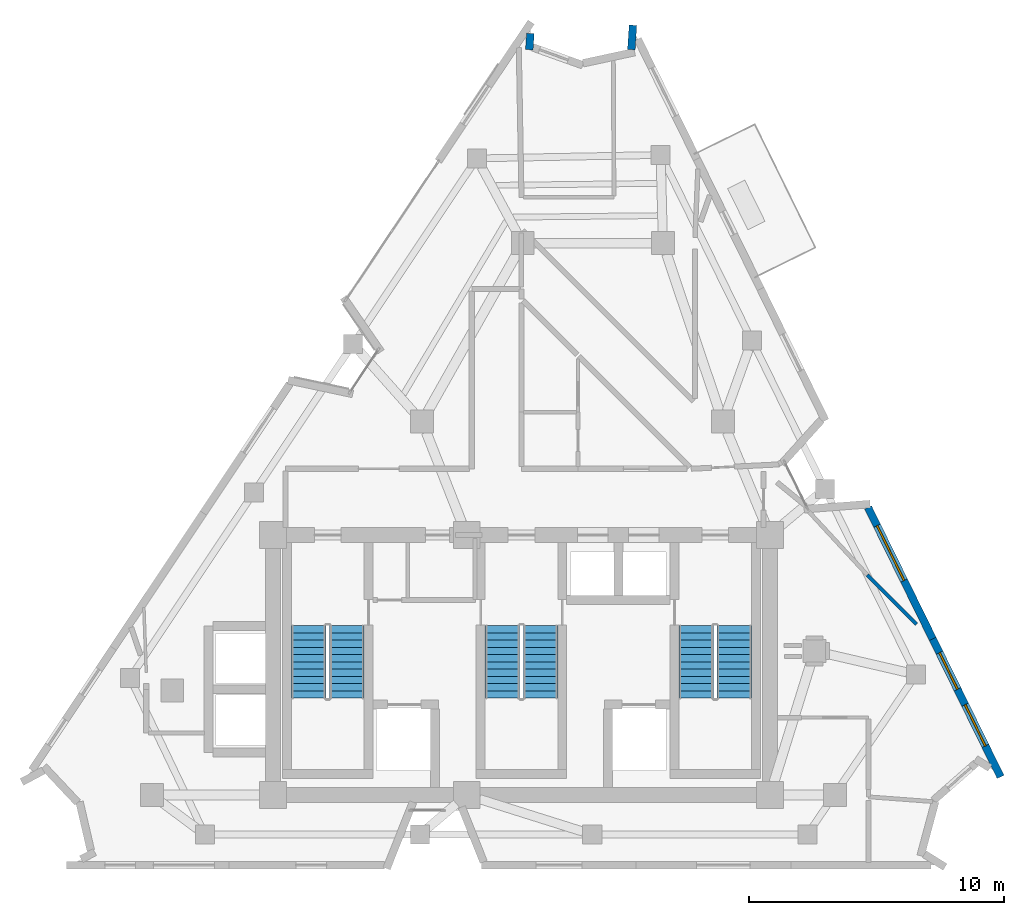
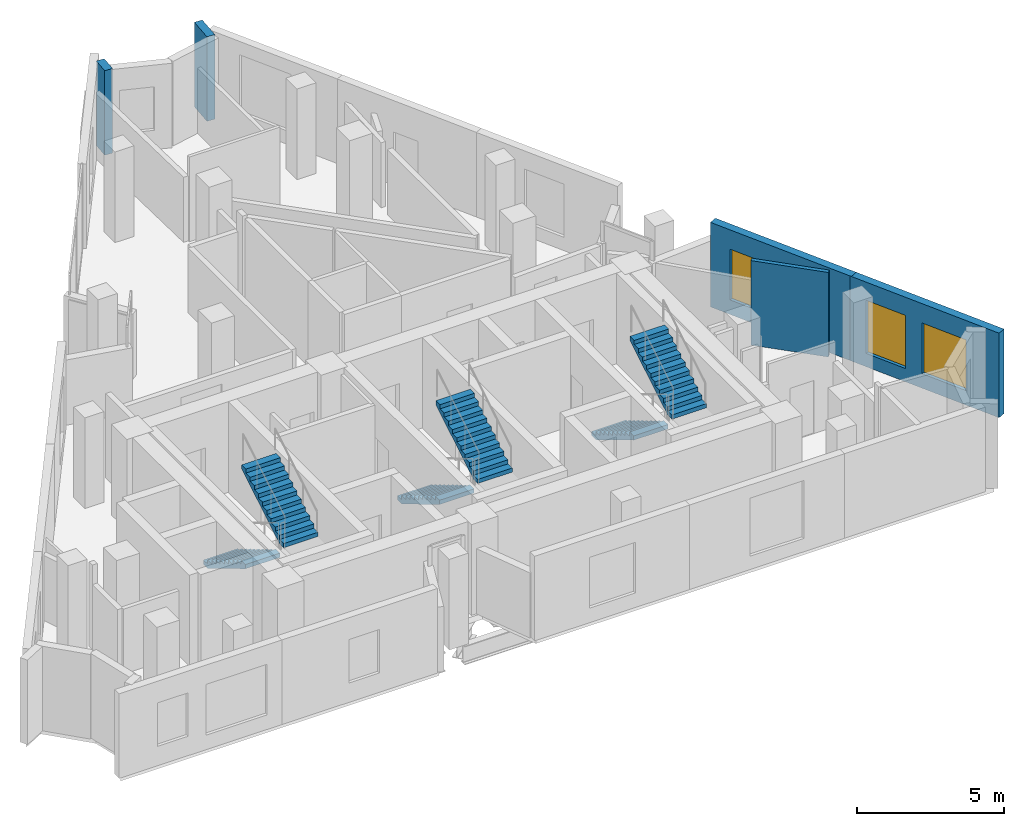
# One storey, part 7 of 8: 6 stair flights, 5 walls, 3 windows, 3 openings, 3 elements without a shape of their own.
"""IFC4 building model written with IfcOpenShell, lengths in metres."""

from ifc_helpers import new_model, si_unit, direction, frame, frame_2d, origin, place, context, subcontext, project, spatial, polyline, rectangle, outline, extrude, material, layer, layer_set, type_object, element, fill, aggregate, save


model = new_model("IFC4")

# Units and contexts
model_context = context("Model", 3, precision=1e-05, world=origin(), true_north=direction((0.0, 1.0)))
body_context = subcontext(model_context, "Body", "Model", "MODEL_VIEW")
ifc_project = project(units=[si_unit("LENGTHUNIT", "METRE"), si_unit("AREAUNIT", "SQUARE_METRE"), si_unit("VOLUMEUNIT", "CUBIC_METRE"), si_unit("PLANEANGLEUNIT", "RADIAN"), si_unit("MASSUNIT", "GRAM", prefix="KILO")], contexts=[model_context])

# Site, building, storey
site_placement = place(None, origin())
site = spatial("IfcSite", under=ifc_project, at=site_placement, CompositionType="ELEMENT")
building_placement = place(site_placement, origin())
building = spatial("IfcBuilding", under=site, at=building_placement, Name="Almagre Mirador Tower", CompositionType="ELEMENT")
storey_placement = place(building_placement, frame((0.0, 0.0, 274.5)))
storey = spatial("IfcBuildingStorey", under=building, at=storey_placement, Name="L71", CompositionType="ELEMENT", Elevation=274.5)

# Walls
ifc_material_1 = material(Name="Precast concrete C50/60", Category="concrete")
ifc_layer_1 = layer(ifc_material_1, 0.300048828125)
ifc_layer_set_1 = layer_set([ifc_layer_1], Name="Precast concrete C50/60")
wall_type_1 = type_object("IfcWallType", Name="WAL-EXT-300", PredefinedType="SOLIDWALL", material=ifc_layer_set_1)
wall_1_placement = place(storey_placement, frame((37.64990234375, 34.428955078125, 0.0), z_axis=(0.0, 0.0, 1.0), x_axis=(-0.065607578869, -0.997845501866, 0.0)))
element("IfcWall", 1, at=wall_1_placement, inside=storey, type_object=wall_type_1, Name="L71 expressed almagre precast frame wall 04", PredefinedType="SOLIDWALL", context=body_context, shape_type="SweptSolid", body=[
    extrude(rectangle(XDim=0.64013671875, YDim=0.300048828125, at=frame_2d((0.320068359375, 0.0))), origin(), (0.0, 0.0, 1.0), 3.5),
])
wall_2_placement = place(storey_placement, frame((41.611083984375, 33.792724609375, 0.0), z_axis=(0.0, 0.0, 1.0), x_axis=(0.065860770899, 0.997828822422, 0.0)))
element("IfcWall", 2, at=wall_2_placement, inside=storey, type_object=wall_type_1, Name="L71 expressed almagre precast frame wall 07", PredefinedType="SOLIDWALL", context=body_context, shape_type="SweptSolid", body=[
    extrude(rectangle(XDim=0.960205078125, YDim=0.300048828125, at=frame_2d((0.47998046875, 0.0))), origin(), (0.0, 0.0, 1.0), 3.5),
])

# Wall, opening, window
wall_3_placement = place(storey_placement, frame((50.89990234375, 15.831298828125, 0.0), z_axis=(0.0, 0.0, 1.0), x_axis=(0.441291621968, -0.897363752545, 0.0)))
wall_3 = element("IfcWall", 3, at=wall_3_placement, inside=storey, type_object=wall_type_1, Name="L71 expressed almagre precast frame wall 13", PredefinedType="SOLIDWALL", context=body_context, shape_type="SweptSolid", body=[
    extrude(rectangle(XDim=5.748291015625, YDim=0.300048828125, at=frame_2d((2.8740234375, 0.0))), origin(), (0.0, 0.0, 1.0), 3.5),
])
opening_1_placement = place(wall_3_placement, frame((0.794921875, 0.0, 0.60009765625)))
opening_1 = element("IfcOpeningElement", 4, at=opening_1_placement, cuts=wall_3, Name="Opening WN-02", PredefinedType="OPENING", context=body_context, shape_type="SweptSolid", body=[
    extrude(rectangle(XDim=2.39990234375, YDim=2.10009765625, at=frame_2d((1.199951171875, 1.050048828125))), frame((0.0, 0.159902, 0.0), z_axis=(0.0, -1.0, 0.0), x_axis=(1.0, 0.0, 0.0)), (0.0, 0.0, 1.0), 0.320049),
])
ifc_material_2 = material(Name="Dark solar-control laminated hurricane glass", Category="glass")
window_type_1 = type_object("IfcWindowType", Name="WIN-2400X2100", PartitioningType="TRIPLE_PANEL_VERTICAL", PredefinedType="WINDOW", material=ifc_material_2)
window_1_placement = place(opening_1_placement, origin())
window_1 = element("IfcWindow", 5, at=window_1_placement, inside=storey, type_object=window_type_1, Name="L71 recessed hurricane window L71-RST-G", OverallHeight=2.10009765625, OverallWidth=2.39990234375, PartitioningType="SINGLE_PANEL", PredefinedType="WINDOW", context=body_context, shape_type="SweptSolid", body=[
    extrude(rectangle(XDim=2.39990234375, YDim=2.10009765625, at=frame_2d((1.199951171875, 1.050048828125))), frame((0.0, 0.030029296875, 0.0), z_axis=(0.0, -1.0, 0.0), x_axis=(1.0, 0.0, 0.0)), (0.0, 0.0, 1.0), 0.06005859375),
])
fill(opening_1, window_1)

# Wall, openings, windows
wall_4_placement = place(storey_placement, frame((53.410888671875, 10.72509765625, 0.0), z_axis=(0.0, 0.0, 1.0), x_axis=(0.441283118505, -0.897367934195, 0.0)))
wall_4 = element("IfcWall", 6, at=wall_4_placement, inside=storey, type_object=wall_type_1, Name="L71 expressed almagre precast frame wall 14", PredefinedType="SOLIDWALL", context=body_context, shape_type="SweptSolid", body=[
    extrude(rectangle(XDim=6.08642578125, YDim=0.300048828125, at=frame_2d((3.043212890625, 0.0))), origin(), (0.0, 0.0, 1.0), 3.5),
])
opening_2_placement = place(wall_4_placement, frame((0.657958984375, 0.0, 0.550048828125)))
opening_2 = element("IfcOpeningElement", 7, at=opening_2_placement, cuts=wall_4, Name="Opening WN-06", PredefinedType="OPENING", context=body_context, shape_type="SweptSolid", body=[
    extrude(rectangle(XDim=1.60009765625, YDim=2.199951171875, at=frame_2d((0.800048828125, 1.10009765625))), frame((0.0, 0.159902, 0.0), z_axis=(0.0, -1.0, 0.0), x_axis=(1.0, 0.0, 0.0)), (0.0, 0.0, 1.0), 0.320049),
])
opening_3_placement = place(wall_4_placement, frame((2.93310546875, 0.0, 0.60009765625)))
opening_3 = element("IfcOpeningElement", 8, at=opening_3_placement, cuts=wall_4, Name="Opening WN-01", PredefinedType="OPENING", context=body_context, shape_type="SweptSolid", body=[
    extrude(rectangle(XDim=1.800048828125, YDim=2.10009765625, at=frame_2d((0.89990234375, 1.050048828125))), frame((0.0, 0.159902, 0.0), z_axis=(0.0, -1.0, 0.0), x_axis=(1.0, 0.0, 0.0)), (0.0, 0.0, 1.0), 0.320049),
])
ifc_material_3 = material(Name="Dark solar-control laminated hurricane glass", Category="glass")
window_type_2 = type_object("IfcWindowType", Name="WIN-1600X2200", PartitioningType="DOUBLE_PANEL_VERTICAL", PredefinedType="WINDOW", material=ifc_material_3)
window_2_placement = place(opening_2_placement, origin())
window_2 = element("IfcWindow", 9, at=window_2_placement, inside=storey, type_object=window_type_2, Name="L71 recessed hurricane window L71-UD-ST", OverallHeight=2.199951171875, OverallWidth=1.60009765625, PartitioningType="SINGLE_PANEL", PredefinedType="WINDOW", context=body_context, shape_type="SweptSolid", body=[
    extrude(rectangle(XDim=1.60009765625, YDim=2.199951171875, at=frame_2d((0.800048828125, 1.10009765625))), frame((0.0, 0.030029296875, 0.0), z_axis=(0.0, -1.0, 0.0), x_axis=(1.0, 0.0, 0.0)), (0.0, 0.0, 1.0), 0.06005859375),
])
fill(opening_2, window_2)
ifc_material_4 = material(Name="Dark solar-control laminated hurricane glass", Category="glass")
window_type_3 = type_object("IfcWindowType", Name="WIN-1800X2100", PartitioningType="DOUBLE_PANEL_VERTICAL", PredefinedType="WINDOW", material=ifc_material_4)
window_3_placement = place(opening_3_placement, origin())
window_3 = element("IfcWindow", 10, at=window_3_placement, inside=storey, type_object=window_type_3, Name="L71 recessed hurricane window L71-UD-KT", OverallHeight=2.10009765625, OverallWidth=1.800048828125, PartitioningType="SINGLE_PANEL", PredefinedType="WINDOW", context=body_context, shape_type="SweptSolid", body=[
    extrude(rectangle(XDim=1.800048828125, YDim=2.10009765625, at=frame_2d((0.89990234375, 1.050048828125))), frame((0.0, 0.030029296875, 0.0), z_axis=(0.0, -1.0, 0.0), x_axis=(1.0, 0.0, 0.0)), (0.0, 0.0, 1.0), 0.06005859375),
])
fill(opening_3, window_3)

# Wall
ifc_material_5 = material(Name="Gypsum acoustic stud partition", Category="other")
ifc_layer_2 = layer(ifc_material_5, 0.14990234375)
ifc_layer_set_2 = layer_set([ifc_layer_2], Name="Gypsum acoustic stud partition")
wall_type_2 = type_object("IfcWallType", Name="WAL-PRT-150-STD", PredefinedType="PARTITIONING", material=ifc_layer_set_2)
wall_5_placement = place(storey_placement, frame((52.79443359375, 11.255615234375, 0.0), z_axis=(0.0, 0.0, 1.0), x_axis=(-0.707106781187, 0.707106781187, 0.0)))
element("IfcWall", 11, at=wall_5_placement, inside=storey, type_object=wall_type_2, Name="L71 interior partition 901", PredefinedType="PARTITIONING", context=body_context, shape_type="SweptSolid", body=[
    extrude(rectangle(XDim=2.719970703125, YDim=0.14990234375, at=frame_2d((1.35986328125, 0.0))), origin(), (0.0, 0.0, 1.0), 3.5),
])

# Stair, stair flights
ifc_material_6 = material(Name="Concrete C45/55", Category="concrete")
stair_type = type_object("IfcStairType", Name="STR-DL-3750", PredefinedType="HALF_TURN_STAIR", material=ifc_material_6)
stair_1_placement = place(storey_placement, origin())
stair_1 = element("IfcStair", 12, at=stair_1_placement, inside=storey, type_object=stair_type, Name="L71 Protected exit stair ST-1", PredefinedType="HALF_TURN_STAIR")
ifc_material_7 = material(Name="Concrete C45/55", Category="concrete")
stair_flight_type = type_object("IfcStairFlightType", Name="FLT-DL-3750", PredefinedType="STRAIGHT", material=ifc_material_7)
stair_flight_1_placement = place(storey_placement, frame((28.949951171875, 11.199951171875, 0.0), z_axis=(0.0, 0.0, 1.0), x_axis=(0.0, -1.0, 0.0)))
stair_flight_1 = element("IfcStairFlight", 13, at=stair_flight_1_placement, type_object=stair_flight_type, Name="ST-1 flight 1", NumberOfRisers=11, NumberOfTreads=10, PredefinedType="STRAIGHT", RiserHeight=0.170454545, TreadLength=0.285, context=body_context, shape_type="SweptSolid", body=[
    extrude(outline(polyline([(0.0, 0.0), (0.0, 0.17041015625), (0.284912109375, 0.17041015625), (0.284912109375, 0.3408203125), (0.570068359375, 0.3408203125), (0.570068359375, 0.511474609375), (0.85498046875, 0.511474609375), (0.85498046875, 0.681884765625), (1.139892578125, 0.681884765625), (1.139892578125, 0.852294921875), (1.425048828125, 0.852294921875), (1.425048828125, 1.022705078125), (1.7099609375, 1.022705078125), (1.7099609375, 1.193115234375), (1.9951171875, 1.193115234375), (1.9951171875, 1.363525390625), (2.280029296875, 1.363525390625), (2.280029296875, 1.5341796875), (2.56494140625, 1.5341796875), (2.56494140625, 1.70458984375), (2.85009765625, 1.70458984375), (2.85009765625, 1.875), (2.85009765625, 1.52978515625), (0.2919921875, 0.0), (0.0, 0.0)])), frame((0.0, 0.675048828125, 0.0), z_axis=(0.0, -1.0, 0.0), x_axis=(1.0, 0.0, 0.0)), (0.0, 0.0, 1.0), 1.35009765625),
])
stair_flight_2_placement = place(storey_placement, frame((30.449951171875, 8.35009765625, 1.875), z_axis=(0.0, 0.0, 1.0), x_axis=(0.0, 1.0, 0.0)))
stair_flight_2 = element("IfcStairFlight", 14, at=stair_flight_2_placement, type_object=stair_flight_type, Name="ST-1 flight 2", NumberOfRisers=11, NumberOfTreads=10, PredefinedType="STRAIGHT", RiserHeight=0.170454545, TreadLength=0.285, context=body_context, shape_type="SweptSolid", body=[
    extrude(outline(polyline([(0.0, 0.0), (0.0, 0.17041015625), (0.284912109375, 0.17041015625), (0.284912109375, 0.3408203125), (0.570068359375, 0.3408203125), (0.570068359375, 0.511474609375), (0.85498046875, 0.511474609375), (0.85498046875, 0.681884765625), (1.139892578125, 0.681884765625), (1.139892578125, 0.852294921875), (1.425048828125, 0.852294921875), (1.425048828125, 1.022705078125), (1.7099609375, 1.022705078125), (1.7099609375, 1.193115234375), (1.9951171875, 1.193115234375), (1.9951171875, 1.363525390625), (2.280029296875, 1.363525390625), (2.280029296875, 1.5341796875), (2.56494140625, 1.5341796875), (2.56494140625, 1.70458984375), (2.85009765625, 1.70458984375), (2.85009765625, 1.875), (2.85009765625, 1.52978515625), (0.2919921875, 0.0), (0.0, 0.0)])), frame((0.0, 0.675048828125, 0.0), z_axis=(0.0, -1.0, 0.0), x_axis=(1.0, 0.0, 0.0)), (0.0, 0.0, 1.0), 1.35009765625),
])
aggregate(stair_1, [stair_flight_1, stair_flight_2])

stair_2_placement = place(storey_placement, origin())
stair_2 = element("IfcStair", 15, at=stair_2_placement, inside=storey, type_object=stair_type, Name="L71 Protected exit stair ST-2", PredefinedType="HALF_TURN_STAIR")
stair_flight_3_placement = place(storey_placement, frame((36.550048828125, 11.199951171875, 0.0), z_axis=(0.0, 0.0, 1.0), x_axis=(0.0, -1.0, 0.0)))
stair_flight_3 = element("IfcStairFlight", 16, at=stair_flight_3_placement, type_object=stair_flight_type, Name="ST-2 flight 1", NumberOfRisers=11, NumberOfTreads=10, PredefinedType="STRAIGHT", RiserHeight=0.170454545, TreadLength=0.285, context=body_context, shape_type="SweptSolid", body=[
    extrude(outline(polyline([(0.0, 0.0), (0.0, 0.17041015625), (0.284912109375, 0.17041015625), (0.284912109375, 0.3408203125), (0.570068359375, 0.3408203125), (0.570068359375, 0.511474609375), (0.85498046875, 0.511474609375), (0.85498046875, 0.681884765625), (1.139892578125, 0.681884765625), (1.139892578125, 0.852294921875), (1.425048828125, 0.852294921875), (1.425048828125, 1.022705078125), (1.7099609375, 1.022705078125), (1.7099609375, 1.193115234375), (1.9951171875, 1.193115234375), (1.9951171875, 1.363525390625), (2.280029296875, 1.363525390625), (2.280029296875, 1.5341796875), (2.56494140625, 1.5341796875), (2.56494140625, 1.70458984375), (2.85009765625, 1.70458984375), (2.85009765625, 1.875), (2.85009765625, 1.52978515625), (0.2919921875, 0.0), (0.0, 0.0)])), frame((0.0, 0.675048828125, 0.0), z_axis=(0.0, -1.0, 0.0), x_axis=(1.0, 0.0, 0.0)), (0.0, 0.0, 1.0), 1.35009765625),
])
stair_flight_4_placement = place(storey_placement, frame((38.050048828125, 8.35009765625, 1.875), z_axis=(0.0, 0.0, 1.0), x_axis=(0.0, 1.0, 0.0)))
stair_flight_4 = element("IfcStairFlight", 17, at=stair_flight_4_placement, type_object=stair_flight_type, Name="ST-2 flight 2", NumberOfRisers=11, NumberOfTreads=10, PredefinedType="STRAIGHT", RiserHeight=0.170454545, TreadLength=0.285, context=body_context, shape_type="SweptSolid", body=[
    extrude(outline(polyline([(0.0, 0.0), (0.0, 0.17041015625), (0.284912109375, 0.17041015625), (0.284912109375, 0.3408203125), (0.570068359375, 0.3408203125), (0.570068359375, 0.511474609375), (0.85498046875, 0.511474609375), (0.85498046875, 0.681884765625), (1.139892578125, 0.681884765625), (1.139892578125, 0.852294921875), (1.425048828125, 0.852294921875), (1.425048828125, 1.022705078125), (1.7099609375, 1.022705078125), (1.7099609375, 1.193115234375), (1.9951171875, 1.193115234375), (1.9951171875, 1.363525390625), (2.280029296875, 1.363525390625), (2.280029296875, 1.5341796875), (2.56494140625, 1.5341796875), (2.56494140625, 1.70458984375), (2.85009765625, 1.70458984375), (2.85009765625, 1.875), (2.85009765625, 1.52978515625), (0.2919921875, 0.0), (0.0, 0.0)])), frame((0.0, 0.675048828125, 0.0), z_axis=(0.0, -1.0, 0.0), x_axis=(1.0, 0.0, 0.0)), (0.0, 0.0, 1.0), 1.35009765625),
])
aggregate(stair_2, [stair_flight_3, stair_flight_4])

stair_3_placement = place(storey_placement, origin())
stair_3 = element("IfcStair", 18, at=stair_3_placement, inside=storey, type_object=stair_type, Name="L71 Protected exit stair ST-3", PredefinedType="HALF_TURN_STAIR")
stair_flight_5_placement = place(storey_placement, frame((44.14990234375, 11.199951171875, 0.0), z_axis=(0.0, 0.0, 1.0), x_axis=(0.0, -1.0, 0.0)))
stair_flight_5 = element("IfcStairFlight", 19, at=stair_flight_5_placement, type_object=stair_flight_type, Name="ST-3 flight 1", NumberOfRisers=11, NumberOfTreads=10, PredefinedType="STRAIGHT", RiserHeight=0.170454545, TreadLength=0.285, context=body_context, shape_type="SweptSolid", body=[
    extrude(outline(polyline([(0.0, 0.0), (0.0, 0.17041015625), (0.284912109375, 0.17041015625), (0.284912109375, 0.3408203125), (0.570068359375, 0.3408203125), (0.570068359375, 0.511474609375), (0.85498046875, 0.511474609375), (0.85498046875, 0.681884765625), (1.139892578125, 0.681884765625), (1.139892578125, 0.852294921875), (1.425048828125, 0.852294921875), (1.425048828125, 1.022705078125), (1.7099609375, 1.022705078125), (1.7099609375, 1.193115234375), (1.9951171875, 1.193115234375), (1.9951171875, 1.363525390625), (2.280029296875, 1.363525390625), (2.280029296875, 1.5341796875), (2.56494140625, 1.5341796875), (2.56494140625, 1.70458984375), (2.85009765625, 1.70458984375), (2.85009765625, 1.875), (2.85009765625, 1.52978515625), (0.2919921875, 0.0), (0.0, 0.0)])), frame((0.0, 0.675048828125, 0.0), z_axis=(0.0, -1.0, 0.0), x_axis=(1.0, 0.0, 0.0)), (0.0, 0.0, 1.0), 1.35009765625),
])
stair_flight_6_placement = place(storey_placement, frame((45.64990234375, 8.35009765625, 1.875), z_axis=(0.0, 0.0, 1.0), x_axis=(0.0, 1.0, 0.0)))
stair_flight_6 = element("IfcStairFlight", 20, at=stair_flight_6_placement, type_object=stair_flight_type, Name="ST-3 flight 2", NumberOfRisers=11, NumberOfTreads=10, PredefinedType="STRAIGHT", RiserHeight=0.170454545, TreadLength=0.285, context=body_context, shape_type="SweptSolid", body=[
    extrude(outline(polyline([(0.0, 0.0), (0.0, 0.17041015625), (0.284912109375, 0.17041015625), (0.284912109375, 0.3408203125), (0.570068359375, 0.3408203125), (0.570068359375, 0.511474609375), (0.85498046875, 0.511474609375), (0.85498046875, 0.681884765625), (1.139892578125, 0.681884765625), (1.139892578125, 0.852294921875), (1.425048828125, 0.852294921875), (1.425048828125, 1.022705078125), (1.7099609375, 1.022705078125), (1.7099609375, 1.193115234375), (1.9951171875, 1.193115234375), (1.9951171875, 1.363525390625), (2.280029296875, 1.363525390625), (2.280029296875, 1.5341796875), (2.56494140625, 1.5341796875), (2.56494140625, 1.70458984375), (2.85009765625, 1.70458984375), (2.85009765625, 1.875), (2.85009765625, 1.52978515625), (0.2919921875, 0.0), (0.0, 0.0)])), frame((0.0, 0.675048828125, 0.0), z_axis=(0.0, -1.0, 0.0), x_axis=(1.0, 0.0, 0.0)), (0.0, 0.0, 1.0), 1.35009765625),
])
aggregate(stair_3, [stair_flight_5, stair_flight_6])

save(model, "model.ifc")
